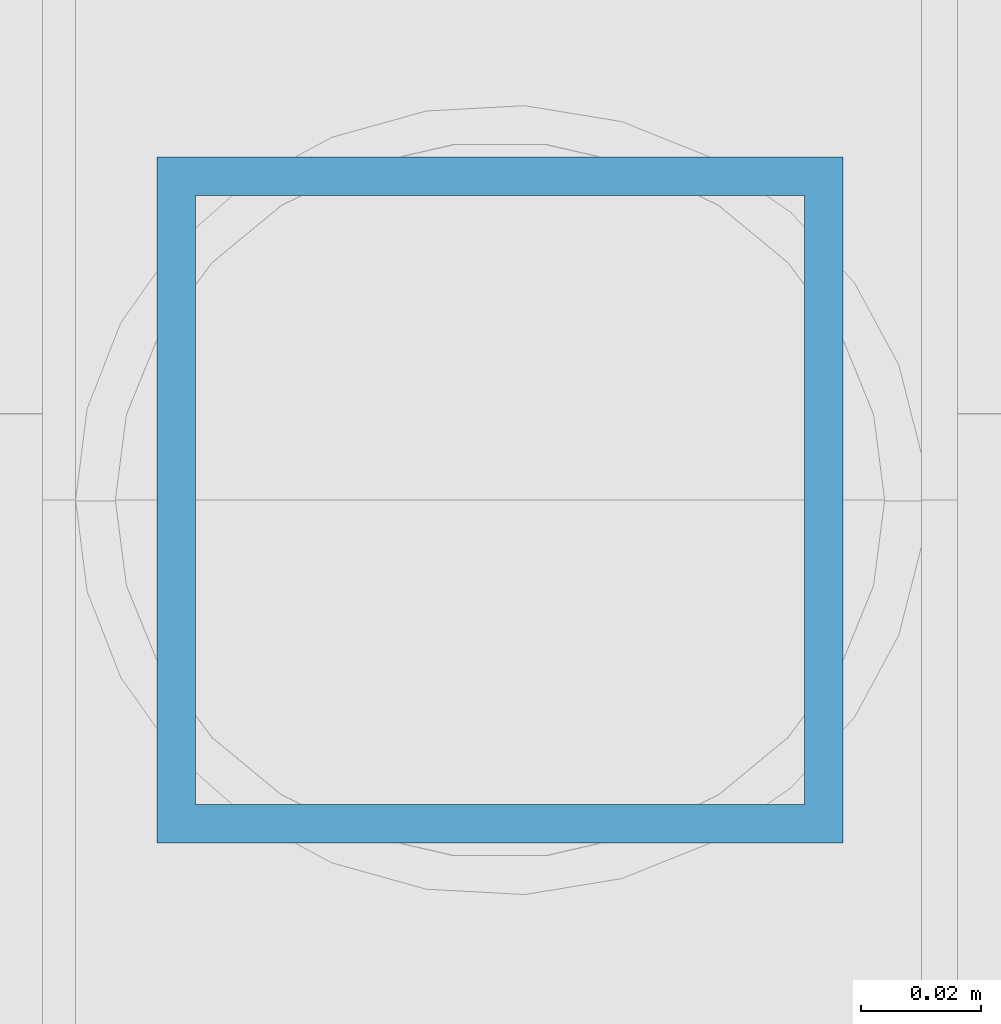
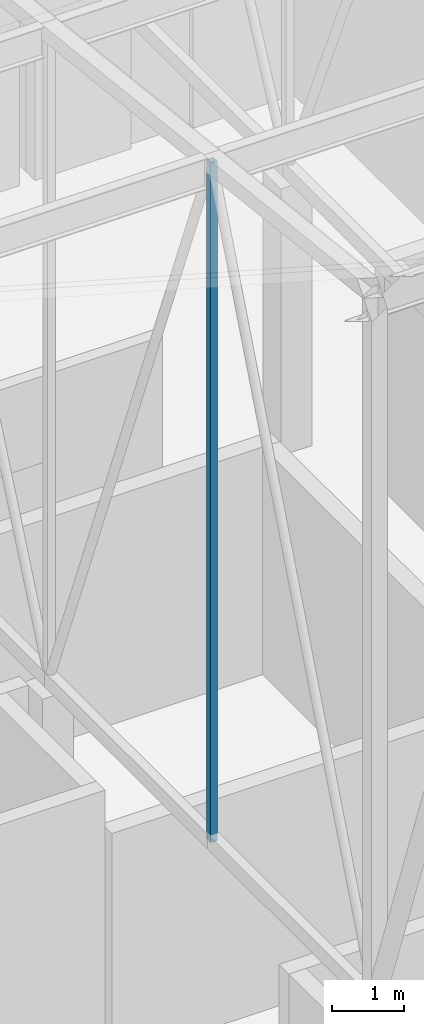
# One storey, part 208 of 500: 1 member.
"""IFC4 building model written with IfcOpenShell, lengths in metres."""

import ifcopenshell
import ifcopenshell.guid

model = None  # the IFC model being written
_history = None  # IfcOwnerHistory: only IFC2X3 demands one
_inside = {}  # id of a spatial element -> (the spatial element, [elements in it])
_under = {}  # id of a project, library or spatial element -> (it, [spatial elements below it])
_declared = {}  # id of a project -> (the project, [libraries it declares])
_typed = {}  # id of a type object -> (the type object, [elements of that type])
_made_of = {}  # id of a material, layer set ... -> (it, [elements and type objects made of it])


def new_model(schema):
    """Start an empty IFC model of exactly this schema.

    Asked for "IFC4X3", IfcOpenShell would pick the latest addendum, in which some entities
    have other attributes; the version numbers below select the first issue.
    IFC2X3 requires an IfcOwnerHistory on every rooted entity: one is made here for all.
    """
    global model, _history
    if schema == "IFC4X3":
        model = ifcopenshell.file(schema_version=(4, 3, 0, 0))
    else:
        model = ifcopenshell.file(schema=schema)
    _inside.clear()
    _under.clear()
    _declared.clear()
    _typed.clear()
    _made_of.clear()
    _history = None
    if model.schema == "IFC2X3":
        org = make("IfcOrganization", Name="unknown")
        user = make(
            "IfcPersonAndOrganization",
            ThePerson=make("IfcPerson", FamilyName="unknown"),
            TheOrganization=org,
        )
        app = make(
            "IfcApplication",
            ApplicationDeveloper=org,
            Version="unknown",
            ApplicationFullName="unknown",
            ApplicationIdentifier="unknown",
        )
        _history = make(
            "IfcOwnerHistory",
            OwningUser=user,
            OwningApplication=app,
            ChangeAction="ADDED",
            CreationDate=0,
        )
    return model


def make(cls, **values):
    """One entity of the class cls with the attributes given. An attribute that is None is left unset."""
    return model.create_entity(
        cls, **{name: value for name, value in values.items() if value is not None}
    )


def rooted(cls, **values):
    """An entity with a GlobalId (a new one), such as an element, a storey or a relation."""
    return make(cls, GlobalId=ifcopenshell.guid.new(), OwnerHistory=_history, **values)


def si_unit(unit_type, name, prefix=None):
    """IfcSIUnit, for example si_unit("LENGTHUNIT", "METRE", prefix="MILLI")."""
    return make("IfcSIUnit", UnitType=unit_type, Prefix=prefix, Name=name)


def assignment(units):
    """IfcUnitAssignment: the units of a project."""
    return None if units is None else make("IfcUnitAssignment", Units=units)


def point(xyz):
    """IfcCartesianPoint."""
    return None if xyz is None else make("IfcCartesianPoint", Coordinates=xyz)


def direction(xyz):
    """IfcDirection."""
    return None if xyz is None else make("IfcDirection", DirectionRatios=xyz)


def frame(location, z_axis=None, x_axis=None):
    """IfcAxis2Placement3D, a coordinate frame: its origin and axes. An axis left out is left unset."""
    return make(
        "IfcAxis2Placement3D",
        Location=point(location),
        Axis=direction(z_axis),
        RefDirection=direction(x_axis),
    )


def frame_2d(location, x_axis=None):
    """IfcAxis2Placement2D, a coordinate frame in the plane: its origin and x axis."""
    return make(
        "IfcAxis2Placement2D", Location=point(location), RefDirection=direction(x_axis)
    )


def origin():
    """The frame at (0, 0, 0) with its axes left unset."""
    return frame((0.0, 0.0, 0.0))


def origin_2d():
    """The frame at (0, 0) in the plane with its x axis left unset."""
    return frame_2d((0.0, 0.0))


def place(relative_to, where):
    """IfcLocalPlacement: puts the frame where relative to a parent placement (None: the world)."""
    return make(
        "IfcLocalPlacement", PlacementRelTo=relative_to, RelativePlacement=where
    )


def context(
    kind, dimensions, precision=None, world=None, true_north=None, identifier=None
):
    """IfcGeometricRepresentationContext, for example the 3D "Model" context."""
    return make(
        "IfcGeometricRepresentationContext",
        ContextIdentifier=identifier,
        ContextType=kind,
        CoordinateSpaceDimension=dimensions,
        Precision=precision,
        WorldCoordinateSystem=world,
        TrueNorth=true_north,
    )


def subcontext(parent, identifier, kind, view, scale=None):
    """IfcGeometricRepresentationSubContext, for example "Body" below "Model"."""
    return make(
        "IfcGeometricRepresentationSubContext",
        ContextIdentifier=identifier,
        ContextType=kind,
        ParentContext=parent,
        TargetScale=scale,
        TargetView=view,
    )


def project(units=None, contexts=None):
    """IfcProject with its units and contexts."""
    return rooted(
        "IfcProject",
        Name="project",
        RepresentationContexts=contexts,
        UnitsInContext=assignment(units),
    )


def spatial(cls, under=None, at=None, **own):
    """A site, building, storey or space (cls), placed at a placement, below another one or the project."""
    s = rooted(cls, ObjectPlacement=at, **own)
    if under is not None:
        _under.setdefault(under.id(), (under, []))[1].append(s)
    return s


def profile(cls, at=None, kind="AREA", **sizes):
    """A parametric profile (cls). Its sizes go by their IFC names, for example OverallWidth=200.0."""
    return make(cls, ProfileType=kind, Position=at, **sizes)


def hollow_rectangle(**sizes):
    """IfcRectangleHollowProfileDef."""
    return profile("IfcRectangleHollowProfileDef", **sizes)


def extrude(swept, where, along, depth):
    """IfcExtrudedAreaSolid: the profile swept, set in the frame where, extruded along a direction by depth."""
    return make(
        "IfcExtrudedAreaSolid",
        SweptArea=swept,
        Position=where,
        ExtrudedDirection=direction(along),
        Depth=depth,
    )


def shape(context_of_items, identifier, shape_type, items):
    """IfcShapeRepresentation: the items that make up one representation, for example the "Body"."""
    return make(
        "IfcShapeRepresentation",
        ContextOfItems=context_of_items,
        RepresentationIdentifier=identifier,
        RepresentationType=shape_type,
        Items=items,
    )


def material(Name=None, Category=None):
    """IfcMaterial."""
    return make("IfcMaterial", Name=Name, Category=Category)


def material_profile(
    of_material, cross_section, Name=None, Category=None, Priority=None
):
    """IfcMaterialProfile: a cross section and its material."""
    return make(
        "IfcMaterialProfile",
        Name=Name,
        Material=of_material,
        Profile=cross_section,
        Priority=Priority,
        Category=Category,
    )


def profile_set(profiles, Name=None, composite=None):
    """IfcMaterialProfileSet."""
    return make(
        "IfcMaterialProfileSet",
        Name=Name,
        MaterialProfiles=profiles,
        CompositeProfile=composite,
    )


def made_of(thing, what):
    """Note that an element or type object is made of a material, layer set ...; save() writes the relation."""
    if what is not None:
        _made_of.setdefault(what.id(), (what, []))[1].append(thing)
    return thing


def type_object(cls, material=None, **own):
    """A type object (cls), such as IfcWallType, which elements share."""
    return made_of(rooted(cls, **own), material)


def element(
    cls,
    number,
    at=None,
    inside=None,
    cuts=None,
    type_object=None,
    material=None,
    context=None,
    identifier="Body",
    shape_type=None,
    held_by="IfcProductDefinitionShape",
    body=None,
    shapes=None,
    **own,
):
    """One element of the class cls, such as IfcWall. Its Tag is "e" and its number.

    at: its placement. inside: the storey or other place that contains it. cuts: it is an
    opening in that element (IfcRelVoidsElement). A single representation is given by context,
    identifier, shape_type and body (its items); several are given by shapes. held_by: the class
    of the entity that holds the representations. save() writes the other relations.
    """
    e = rooted(cls, Tag="e%d" % number, ObjectPlacement=at, **own)
    if body is not None:
        shapes = [shape(context, identifier, shape_type, body)]
    if shapes is not None:
        e.Representation = make(held_by, Representations=shapes)
    if inside is not None:
        _inside.setdefault(inside.id(), (inside, []))[1].append(e)
    if cuts is not None:
        rooted(
            "IfcRelVoidsElement", RelatingBuildingElement=cuts, RelatedOpeningElement=e
        )
    if type_object is not None:
        _typed.setdefault(type_object.id(), (type_object, []))[1].append(e)
    return made_of(e, material)


def aggregate(whole, parts):
    """IfcRelAggregates: a whole, such as a stair, and the parts it consists of."""
    return rooted("IfcRelAggregates", RelatingObject=whole, RelatedObjects=parts)


def save(model, path):
    """Write the relations noted so far, then the file.

    IfcRelAggregates (storeys below a building ...), IfcRelContainedInSpatialStructure (elements
    in a storey), IfcRelDefinesByType, IfcRelAssociatesMaterial and IfcRelDeclares: one each for
    every whole, place, type object, material and project.
    """
    for whole, parts in _under.values():
        aggregate(whole, parts)
    for where, things in _inside.values():
        rooted(
            "IfcRelContainedInSpatialStructure",
            RelatedElements=things,
            RelatingStructure=where,
        )
    for kind, things in _typed.values():
        rooted("IfcRelDefinesByType", RelatedObjects=things, RelatingType=kind)
    for what, things in _made_of.values():
        rooted("IfcRelAssociatesMaterial", RelatedObjects=things, RelatingMaterial=what)
    for by, libraries in _declared.values():
        rooted("IfcRelDeclares", RelatingContext=by, RelatedDefinitions=libraries)
    model.write(path)


model = new_model("IFC4")

# Units and contexts
model_context = context("Model", 3, precision=1e-05, world=origin(), true_north=direction((0.0, 1.0)))
body_context = subcontext(model_context, "Body", "Model", "MODEL_VIEW")
ifc_project = project(units=[si_unit("LENGTHUNIT", "METRE"), si_unit("AREAUNIT", "SQUARE_METRE"), si_unit("VOLUMEUNIT", "CUBIC_METRE"), si_unit("PLANEANGLEUNIT", "RADIAN"), si_unit("MASSUNIT", "GRAM", prefix="KILO")], contexts=[model_context])

# Site, building, storey
site_placement = place(None, origin())
site = spatial("IfcSite", under=ifc_project, at=site_placement, CompositionType="ELEMENT")
building_placement = place(site_placement, origin())
building = spatial("IfcBuilding", under=site, at=building_placement, Name="Shirokan Park Arena", CompositionType="ELEMENT")
storey_placement = place(building_placement, frame((0.0, 0.0, 29.1201171875)))
storey = spatial("IfcBuildingStorey", under=building, at=storey_placement, Name="L06", CompositionType="ELEMENT", Elevation=29.1201171875)

# Member
ifc_material = material(Name="Steel ASTM A500 Grade C", Category="steel")
ifc_material_profile = material_profile(ifc_material, hollow_rectangle(XDim=0.114013671875, YDim=0.114013671875, WallThickness=0.00634765625, at=origin_2d()), Name="HSS114.3X114.3X6.4")
ifc_profile_set = profile_set([ifc_material_profile], Name="Steel ASTM A500 Grade C")
member_type = type_object("IfcMemberType", Name="Truss post HSS114.3X114.3X6.4", PredefinedType="POST", material=ifc_profile_set)
member_placement = place(storey_placement, frame((27.300048828125, 77.35009765625, 4.677001953125), z_axis=(0.0, 0.0, 1.0), x_axis=(1.0, 0.0, 0.0)))
element("IfcMember", 1, at=member_placement, inside=storey, type_object=member_type, Name="Truss T04 post 20", PredefinedType="POST", context=body_context, shape_type="SweptSolid", body=[
    extrude(hollow_rectangle(XDim=0.114013671875, YDim=0.114013671875, WallThickness=0.00634765625, at=origin_2d()), origin(), (0.0, 0.0, 1.0), 11.5859375),
])

save(model, "model.ifc")
